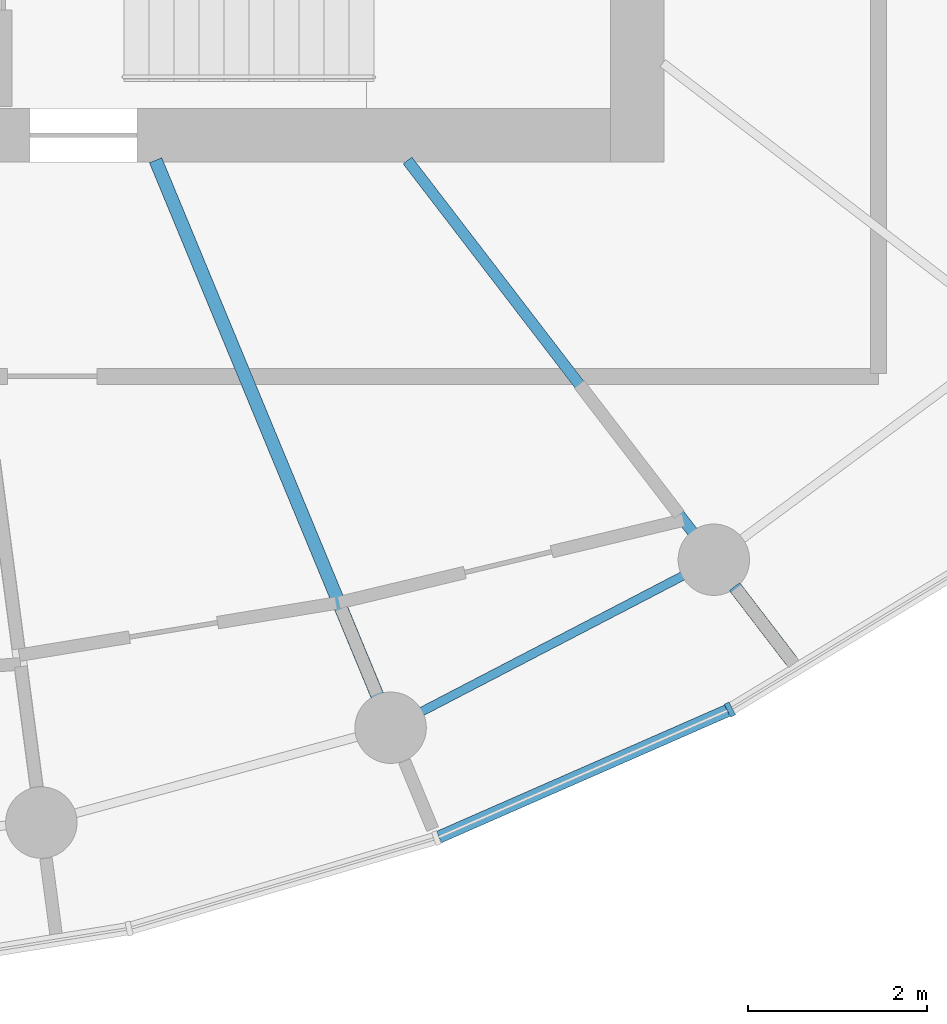
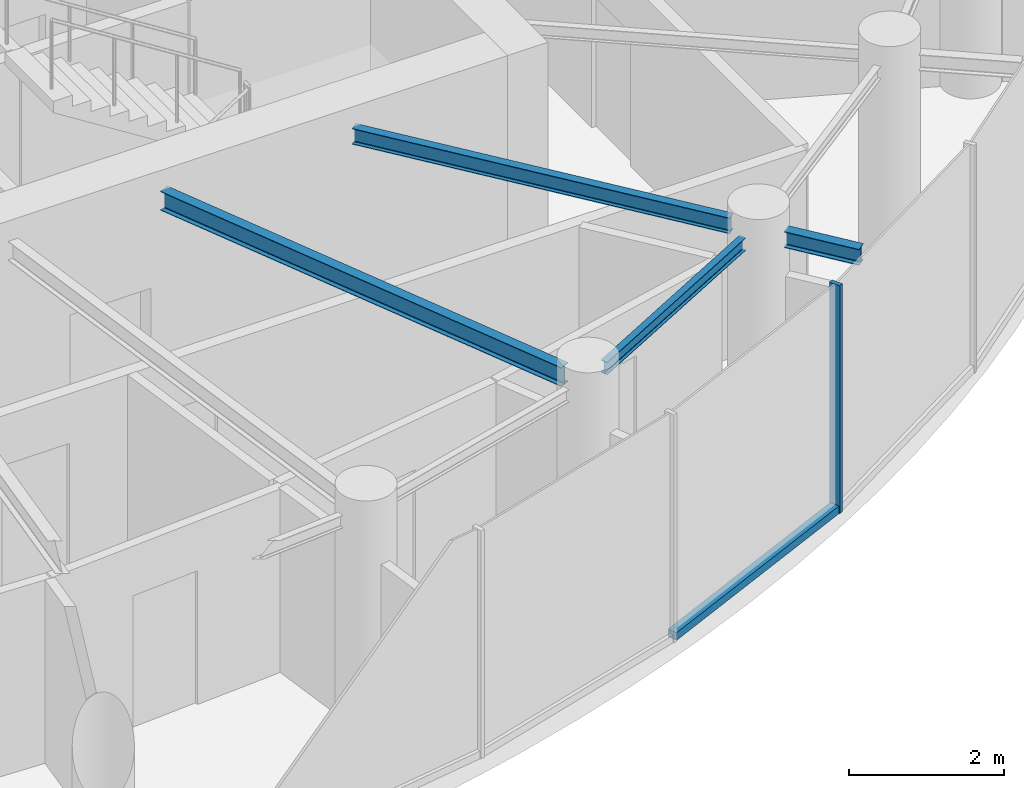
# One storey, part 3 of 13: 4 beams, 2 members, 1 element without a shape of its own.
"""IFC4 building model written with IfcOpenShell, lengths in metres."""

import ifcopenshell
import ifcopenshell.guid

model = None  # the IFC model being written
_history = None  # IfcOwnerHistory: only IFC2X3 demands one
_inside = {}  # id of a spatial element -> (the spatial element, [elements in it])
_under = {}  # id of a project, library or spatial element -> (it, [spatial elements below it])
_declared = {}  # id of a project -> (the project, [libraries it declares])
_typed = {}  # id of a type object -> (the type object, [elements of that type])
_made_of = {}  # id of a material, layer set ... -> (it, [elements and type objects made of it])


def new_model(schema):
    """Start an empty IFC model of exactly this schema.

    Asked for "IFC4X3", IfcOpenShell would pick the latest addendum, in which some entities
    have other attributes; the version numbers below select the first issue.
    IFC2X3 requires an IfcOwnerHistory on every rooted entity: one is made here for all.
    """
    global model, _history
    if schema == "IFC4X3":
        model = ifcopenshell.file(schema_version=(4, 3, 0, 0))
    else:
        model = ifcopenshell.file(schema=schema)
    _inside.clear()
    _under.clear()
    _declared.clear()
    _typed.clear()
    _made_of.clear()
    _history = None
    if model.schema == "IFC2X3":
        org = make("IfcOrganization", Name="unknown")
        user = make(
            "IfcPersonAndOrganization",
            ThePerson=make("IfcPerson", FamilyName="unknown"),
            TheOrganization=org,
        )
        app = make(
            "IfcApplication",
            ApplicationDeveloper=org,
            Version="unknown",
            ApplicationFullName="unknown",
            ApplicationIdentifier="unknown",
        )
        _history = make(
            "IfcOwnerHistory",
            OwningUser=user,
            OwningApplication=app,
            ChangeAction="ADDED",
            CreationDate=0,
        )
    return model


def make(cls, **values):
    """One entity of the class cls with the attributes given. An attribute that is None is left unset."""
    return model.create_entity(
        cls, **{name: value for name, value in values.items() if value is not None}
    )


def rooted(cls, **values):
    """An entity with a GlobalId (a new one), such as an element, a storey or a relation."""
    return make(cls, GlobalId=ifcopenshell.guid.new(), OwnerHistory=_history, **values)


def si_unit(unit_type, name, prefix=None):
    """IfcSIUnit, for example si_unit("LENGTHUNIT", "METRE", prefix="MILLI")."""
    return make("IfcSIUnit", UnitType=unit_type, Prefix=prefix, Name=name)


def assignment(units):
    """IfcUnitAssignment: the units of a project."""
    return None if units is None else make("IfcUnitAssignment", Units=units)


def point(xyz):
    """IfcCartesianPoint."""
    return None if xyz is None else make("IfcCartesianPoint", Coordinates=xyz)


def direction(xyz):
    """IfcDirection."""
    return None if xyz is None else make("IfcDirection", DirectionRatios=xyz)


def frame(location, z_axis=None, x_axis=None):
    """IfcAxis2Placement3D, a coordinate frame: its origin and axes. An axis left out is left unset."""
    return make(
        "IfcAxis2Placement3D",
        Location=point(location),
        Axis=direction(z_axis),
        RefDirection=direction(x_axis),
    )


def frame_2d(location, x_axis=None):
    """IfcAxis2Placement2D, a coordinate frame in the plane: its origin and x axis."""
    return make(
        "IfcAxis2Placement2D", Location=point(location), RefDirection=direction(x_axis)
    )


def origin():
    """The frame at (0, 0, 0) with its axes left unset."""
    return frame((0.0, 0.0, 0.0))


def origin_2d():
    """The frame at (0, 0) in the plane with its x axis left unset."""
    return frame_2d((0.0, 0.0))


def place(relative_to, where):
    """IfcLocalPlacement: puts the frame where relative to a parent placement (None: the world)."""
    return make(
        "IfcLocalPlacement", PlacementRelTo=relative_to, RelativePlacement=where
    )


def context(
    kind, dimensions, precision=None, world=None, true_north=None, identifier=None
):
    """IfcGeometricRepresentationContext, for example the 3D "Model" context."""
    return make(
        "IfcGeometricRepresentationContext",
        ContextIdentifier=identifier,
        ContextType=kind,
        CoordinateSpaceDimension=dimensions,
        Precision=precision,
        WorldCoordinateSystem=world,
        TrueNorth=true_north,
    )


def subcontext(parent, identifier, kind, view, scale=None):
    """IfcGeometricRepresentationSubContext, for example "Body" below "Model"."""
    return make(
        "IfcGeometricRepresentationSubContext",
        ContextIdentifier=identifier,
        ContextType=kind,
        ParentContext=parent,
        TargetScale=scale,
        TargetView=view,
    )


def project(units=None, contexts=None):
    """IfcProject with its units and contexts."""
    return rooted(
        "IfcProject",
        Name="project",
        RepresentationContexts=contexts,
        UnitsInContext=assignment(units),
    )


def spatial(cls, under=None, at=None, **own):
    """A site, building, storey or space (cls), placed at a placement, below another one or the project."""
    s = rooted(cls, ObjectPlacement=at, **own)
    if under is not None:
        _under.setdefault(under.id(), (under, []))[1].append(s)
    return s


def profile(cls, at=None, kind="AREA", **sizes):
    """A parametric profile (cls). Its sizes go by their IFC names, for example OverallWidth=200.0."""
    return make(cls, ProfileType=kind, Position=at, **sizes)


def rectangle(**sizes):
    """IfcRectangleProfileDef."""
    return profile("IfcRectangleProfileDef", **sizes)


def i_section(**sizes):
    """IfcIShapeProfileDef."""
    return profile("IfcIShapeProfileDef", **sizes)


def extrude(swept, where, along, depth):
    """IfcExtrudedAreaSolid: the profile swept, set in the frame where, extruded along a direction by depth."""
    return make(
        "IfcExtrudedAreaSolid",
        SweptArea=swept,
        Position=where,
        ExtrudedDirection=direction(along),
        Depth=depth,
    )


def shape(context_of_items, identifier, shape_type, items):
    """IfcShapeRepresentation: the items that make up one representation, for example the "Body"."""
    return make(
        "IfcShapeRepresentation",
        ContextOfItems=context_of_items,
        RepresentationIdentifier=identifier,
        RepresentationType=shape_type,
        Items=items,
    )


def source(mapping_origin, context_of_items, identifier, shape_type, items):
    """IfcRepresentationMap: a shape defined once, which mapped items show again and again."""
    return make(
        "IfcRepresentationMap",
        MappingOrigin=mapping_origin,
        MappedRepresentation=shape(context_of_items, identifier, shape_type, items),
    )


def transform(
    local_origin,
    x_axis=None,
    y_axis=None,
    z_axis=None,
    scale=None,
    scale2=None,
    scale3=None,
    uniform=True,
):
    """IfcCartesianTransformationOperator3D, or its non-uniform kind. x_axis, y_axis, z_axis: its Axis1, 2, 3."""
    if uniform:
        return make(
            "IfcCartesianTransformationOperator3D",
            Axis1=direction(x_axis),
            Axis2=direction(y_axis),
            LocalOrigin=point(local_origin),
            Scale=scale,
            Axis3=direction(z_axis),
        )
    return make(
        "IfcCartesianTransformationOperator3DnonUniform",
        Axis1=direction(x_axis),
        Axis2=direction(y_axis),
        LocalOrigin=point(local_origin),
        Scale=scale,
        Axis3=direction(z_axis),
        Scale2=scale2,
        Scale3=scale3,
    )


def mapped(mapping_source, mapping_target):
    """IfcMappedItem: shows the shape of a source again, moved by a transform."""
    return make(
        "IfcMappedItem", MappingSource=mapping_source, MappingTarget=mapping_target
    )


def material(Name=None, Category=None):
    """IfcMaterial."""
    return make("IfcMaterial", Name=Name, Category=Category)


def layer(
    of_material, thickness, ventilated=None, Name=None, Category=None, Priority=None
):
    """IfcMaterialLayer: one layer of a wall or slab, of a material (None: an air gap)."""
    return make(
        "IfcMaterialLayer",
        Material=of_material,
        LayerThickness=thickness,
        IsVentilated=ventilated,
        Name=Name,
        Category=Category,
        Priority=Priority,
    )


def layer_set(layers, Name=None):
    """IfcMaterialLayerSet."""
    return make("IfcMaterialLayerSet", MaterialLayers=layers, LayerSetName=Name)


def material_profile(
    of_material, cross_section, Name=None, Category=None, Priority=None
):
    """IfcMaterialProfile: a cross section and its material."""
    return make(
        "IfcMaterialProfile",
        Name=Name,
        Material=of_material,
        Profile=cross_section,
        Priority=Priority,
        Category=Category,
    )


def profile_set(profiles, Name=None, composite=None):
    """IfcMaterialProfileSet."""
    return make(
        "IfcMaterialProfileSet",
        Name=Name,
        MaterialProfiles=profiles,
        CompositeProfile=composite,
    )


def made_of(thing, what):
    """Note that an element or type object is made of a material, layer set ...; save() writes the relation."""
    if what is not None:
        _made_of.setdefault(what.id(), (what, []))[1].append(thing)
    return thing


def type_object(cls, material=None, **own):
    """A type object (cls), such as IfcWallType, which elements share."""
    return made_of(rooted(cls, **own), material)


def element(
    cls,
    number,
    at=None,
    inside=None,
    cuts=None,
    type_object=None,
    material=None,
    context=None,
    identifier="Body",
    shape_type=None,
    held_by="IfcProductDefinitionShape",
    body=None,
    shapes=None,
    **own,
):
    """One element of the class cls, such as IfcWall. Its Tag is "e" and its number.

    at: its placement. inside: the storey or other place that contains it. cuts: it is an
    opening in that element (IfcRelVoidsElement). A single representation is given by context,
    identifier, shape_type and body (its items); several are given by shapes. held_by: the class
    of the entity that holds the representations. save() writes the other relations.
    """
    e = rooted(cls, Tag="e%d" % number, ObjectPlacement=at, **own)
    if body is not None:
        shapes = [shape(context, identifier, shape_type, body)]
    if shapes is not None:
        e.Representation = make(held_by, Representations=shapes)
    if inside is not None:
        _inside.setdefault(inside.id(), (inside, []))[1].append(e)
    if cuts is not None:
        rooted(
            "IfcRelVoidsElement", RelatingBuildingElement=cuts, RelatedOpeningElement=e
        )
    if type_object is not None:
        _typed.setdefault(type_object.id(), (type_object, []))[1].append(e)
    return made_of(e, material)


def aggregate(whole, parts):
    """IfcRelAggregates: a whole, such as a stair, and the parts it consists of."""
    return rooted("IfcRelAggregates", RelatingObject=whole, RelatedObjects=parts)


def save(model, path):
    """Write the relations noted so far, then the file.

    IfcRelAggregates (storeys below a building ...), IfcRelContainedInSpatialStructure (elements
    in a storey), IfcRelDefinesByType, IfcRelAssociatesMaterial and IfcRelDeclares: one each for
    every whole, place, type object, material and project.
    """
    for whole, parts in _under.values():
        aggregate(whole, parts)
    for where, things in _inside.values():
        rooted(
            "IfcRelContainedInSpatialStructure",
            RelatedElements=things,
            RelatingStructure=where,
        )
    for kind, things in _typed.values():
        rooted("IfcRelDefinesByType", RelatedObjects=things, RelatingType=kind)
    for what, things in _made_of.values():
        rooted("IfcRelAssociatesMaterial", RelatedObjects=things, RelatingMaterial=what)
    for by, libraries in _declared.values():
        rooted("IfcRelDeclares", RelatingContext=by, RelatedDefinitions=libraries)
    model.write(path)


model = new_model("IFC4")

# Units and contexts
model_context = context("Model", 3, precision=1e-05, world=origin(), true_north=direction((0.0, 1.0)))
body_context = subcontext(model_context, "Body", "Model", "MODEL_VIEW")
ifc_project = project(units=[si_unit("LENGTHUNIT", "METRE"), si_unit("AREAUNIT", "SQUARE_METRE"), si_unit("VOLUMEUNIT", "CUBIC_METRE"), si_unit("PLANEANGLEUNIT", "RADIAN"), si_unit("MASSUNIT", "GRAM", prefix="KILO")], contexts=[model_context])

# Site, building, storey
site_placement = place(None, origin())
site = spatial("IfcSite", under=ifc_project, at=site_placement, CompositionType="ELEMENT")
building_placement = place(site_placement, origin())
building = spatial("IfcBuilding", under=site, at=building_placement, Name="Spindrift Exchange Tower", CompositionType="ELEMENT")
storey_placement = place(building_placement, frame((0.0, 0.0, 254.0)))
storey = spatial("IfcBuildingStorey", under=building, at=storey_placement, Name="L62", CompositionType="ELEMENT", Elevation=254.0)

# Beams
ifc_material_1 = material(Name="Steel Grade 300", Category="steel")
ifc_material_profile_1 = material_profile(ifc_material_1, i_section(OverallWidth=0.14892578125, OverallDepth=0.298095703125, WebThickness=0.005615234375, FlangeThickness=0.008056640625, FilletRadius=0.012939453125, at=origin_2d()), Name="310UB32.0")
ifc_profile_set_1 = profile_set([ifc_material_profile_1], Name="Steel Grade 300")
beam_type_1 = type_object("IfcBeamType", Name="Floor Beam 310UB32.0 Steel Grade 300", PredefinedType="BEAM", material=ifc_profile_set_1)
shared_shape_1 = source(origin(), body_context, "Body", "SweptSolid", [
    extrude(i_section(OverallWidth=0.14892578125, OverallDepth=0.298095703125, WebThickness=0.005615234375, FlangeThickness=0.008056640625, FilletRadius=0.012939453125, at=origin_2d()), origin(), (0.0, 0.0, 1.0), 6.495849609375),
])
beam_1_placement = place(storey_placement, frame((55.30615234375, 40.0185546875, 3.430908203125), z_axis=(0.382677087308, -0.923882160695, 0.0), x_axis=(0.923882160695, 0.382677087308, 0.0)))
element("IfcBeam", 1, at=beam_1_placement, inside=storey, type_object=beam_type_1, Name="L62 radial beam R20A", PredefinedType="BEAM", context=body_context, shape_type="MappedRepresentation", body=[
    mapped(shared_shape_1, transform((0.0, 0.0, 0.0), scale=1.0)),
])
ifc_material_profile_2 = material_profile(ifc_material_1, i_section(OverallWidth=0.1240234375, OverallDepth=0.248046875, WebThickness=0.0048828125, FlangeThickness=0.008056640625, FilletRadius=0.011962890625, at=origin_2d()), Name="250UB25.7")
ifc_profile_set_2 = profile_set([ifc_material_profile_2], Name="Steel Grade 300")
beam_type_2 = type_object("IfcBeamType", Name="Floor Beam 250UB25.7 Steel Grade 300", PredefinedType="BEAM", material=ifc_profile_set_2)
shared_shape_2 = source(origin(), body_context, "Body", "SweptSolid", [
    extrude(i_section(OverallWidth=0.1240234375, OverallDepth=0.248046875, WebThickness=0.0048828125, FlangeThickness=0.008056640625, FilletRadius=0.011962890625, at=origin_2d()), origin(), (0.0, 0.0, 1.0), 5.25341796875),
])
beam_2_placement = place(storey_placement, frame((58.12646484375, 40.015869140625, 3.4560546875), z_axis=(0.608760287872, -0.793354215915, 0.0), x_axis=(0.793354215915, 0.608760287872, 0.0)))
element("IfcBeam", 2, at=beam_2_placement, inside=storey, type_object=beam_type_2, Name="L62 radial beam R21A", PredefinedType="BEAM", context=body_context, shape_type="MappedRepresentation", body=[
    mapped(shared_shape_2, transform((0.0, 0.0, 0.0), scale=1.0)),
])
ifc_material_profile_3 = material_profile(ifc_material_1, i_section(OverallWidth=0.09912109375, OverallDepth=0.197998046875, WebThickness=0.00439453125, FlangeThickness=0.007080078125, FilletRadius=0.010986328125, at=origin_2d()), Name="200UB18.2")
ifc_profile_set_3 = profile_set([ifc_material_profile_3], Name="Steel Grade 300")
beam_type_3 = type_object("IfcBeamType", Name="Edge Beam 200UB18.2 Steel Grade 300", PredefinedType="SPANDREL", material=ifc_profile_set_3)
shared_shape_3 = source(origin(), body_context, "Body", "SweptSolid", [
    extrude(i_section(OverallWidth=0.09912109375, OverallDepth=0.197998046875, WebThickness=0.00439453125, FlangeThickness=0.007080078125, FilletRadius=0.010986328125, at=origin_2d()), origin(), (0.0, 0.0, 1.0), 3.31787109375),
])
beam_3_placement = place(storey_placement, frame((58.2744140625, 33.84130859375, 3.48095703125), z_axis=(0.887327612278, 0.46113957593, 0.0), x_axis=(-0.46113957593, 0.887327612278, 0.0)))
element("IfcBeam", 3, at=beam_3_placement, inside=storey, type_object=beam_type_3, Name="L62 edge beam E20", PredefinedType="SPANDREL", context=body_context, shape_type="MappedRepresentation", body=[
    mapped(shared_shape_3, transform((0.0, 0.0, 0.0), scale=1.0)),
])
ifc_material_profile_4 = material_profile(ifc_material_1, i_section(OverallWidth=0.14599609375, OverallDepth=0.251953125, WebThickness=0.006103515625, FlangeThickness=0.008544921875, FilletRadius=0.011962890625, at=origin_2d()), Name="250UB31.4")
ifc_profile_set_4 = profile_set([ifc_material_profile_4], Name="Steel Grade 300")
beam_type_4 = type_object("IfcBeamType", Name="Cantilever Beam 250UB31.4 Steel Grade 300", PredefinedType="BEAM", material=ifc_profile_set_4)
shared_shape_4 = source(origin(), body_context, "Body", "SweptSolid", [
    extrude(i_section(OverallWidth=0.14599609375, OverallDepth=0.251953125, WebThickness=0.006103515625, FlangeThickness=0.008544921875, FilletRadius=0.011962890625, at=origin_2d()), origin(), (0.0, 0.0, 1.0), 1.048828125),
])
beam_4_placement = place(storey_placement, frame((61.787109375, 35.245361328125, 3.4541015625), z_axis=(0.608641632682, -0.793445248877, 0.0), x_axis=(0.793445248877, 0.608641632682, 0.0)))
element("IfcBeam", 4, at=beam_4_placement, inside=storey, type_object=beam_type_4, Name="L62 cantilever beam R21T", PredefinedType="BEAM", context=body_context, shape_type="MappedRepresentation", body=[
    mapped(shared_shape_4, transform((0.0, 0.0, 0.0), scale=1.0)),
])

# Curtain wall, members
ifc_material_2 = material(Name="Fritted laminated glass with bronze frame", Category="glass")
ifc_layer = layer(ifc_material_2, 0.159912109375)
ifc_layer_set = layer_set([ifc_layer], Name="ZONE 5 BRONZE FRITTED WALL")
curtain_wall_type = type_object("IfcCurtainWallType", Name="ZONE 5 BRONZE FRITTED WALL", PredefinedType="NOTDEFINED", material=ifc_layer_set)
curtain_wall_placement = place(storey_placement, origin())
curtain_wall = element("IfcCurtainWall", 5, at=curtain_wall_placement, inside=storey, type_object=curtain_wall_type, Name="L62 Zone 5 Bronze Fritted Wall run 5", PredefinedType="NOTDEFINED")
ifc_material_3 = material(Name="Bronze anodised aluminium", Category="aluminium")
ifc_material_profile_5 = material_profile(ifc_material_3, rectangle(XDim=0.06005859375, YDim=0.159912109375, at=origin_2d()), Name="ZONE 5 BRONZE FRITTED WALL MULLION 60X160")
ifc_profile_set_5 = profile_set([ifc_material_profile_5], Name="Bronze anodised aluminium")
member_type_1 = type_object("IfcMemberType", Name="ZONE 5 BRONZE FRITTED WALL MULLION 60X160", PredefinedType="MULLION", material=ifc_profile_set_5)
shared_shape_5 = source(origin(), body_context, "Body", "SweptSolid", [
    extrude(rectangle(XDim=0.06005859375, YDim=0.159912109375, at=origin_2d()), origin(), (0.0, 0.0, 1.0), 3.580078125),
])
member_1_placement = place(storey_placement, frame((61.734619140625, 33.869384765625, 0.0), z_axis=(0.0, 0.0, 1.0), x_axis=(0.887443142127, 0.460917204594, 0.0)))
member_1 = element("IfcMember", 6, at=member_1_placement, type_object=member_type_1, Name="L62 mullion CW-5.28", PredefinedType="MULLION", context=body_context, shape_type="MappedRepresentation", body=[
    mapped(shared_shape_5, transform((0.0, 0.0, 0.0), scale=1.0)),
])
ifc_material_profile_6 = material_profile(ifc_material_3, rectangle(XDim=0.139892578125, YDim=0.1201171875, at=origin_2d()), Name="ZONE 5 BRONZE FRITTED WALL TRANSOM 140X120")
ifc_profile_set_6 = profile_set([ifc_material_profile_6], Name="Bronze anodised aluminium")
member_type_2 = type_object("IfcMemberType", Name="ZONE 5 BRONZE FRITTED WALL TRANSOM 140X120", PredefinedType="USERDEFINED", material=ifc_profile_set_6)
shared_shape_6 = source(origin(), body_context, "Body", "SweptSolid", [
    extrude(rectangle(XDim=0.139892578125, YDim=0.1201171875, at=origin_2d()), origin(), (0.0, 0.0, 1.0), 3.526123046875),
])
member_2_placement = place(storey_placement, frame((58.477783203125, 32.441162109375, 0.06005859375), z_axis=(0.915796251098, 0.401643158133, 0.0), x_axis=(-0.401643158133, 0.915796251098, 0.0)))
member_2 = element("IfcMember", 7, at=member_2_placement, type_object=member_type_2, Name="L62 transom CW-5.27", ObjectType="TRANSOM", PredefinedType="USERDEFINED", context=body_context, shape_type="MappedRepresentation", body=[
    mapped(shared_shape_6, transform((0.0, 0.0, 0.0), scale=1.0)),
])
aggregate(curtain_wall, [member_2, member_1])

save(model, "model.ifc")
